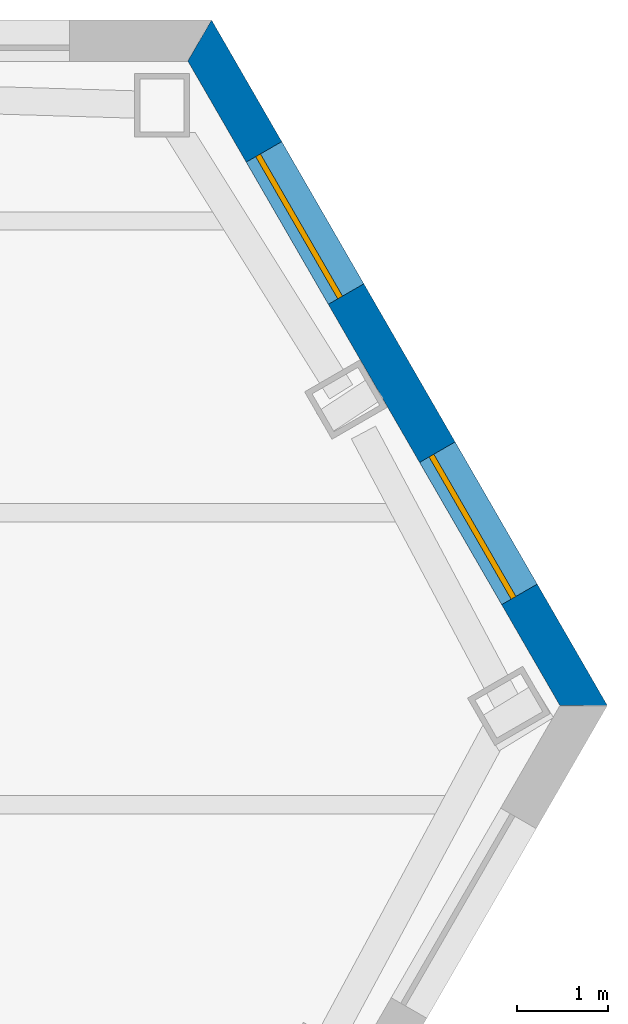
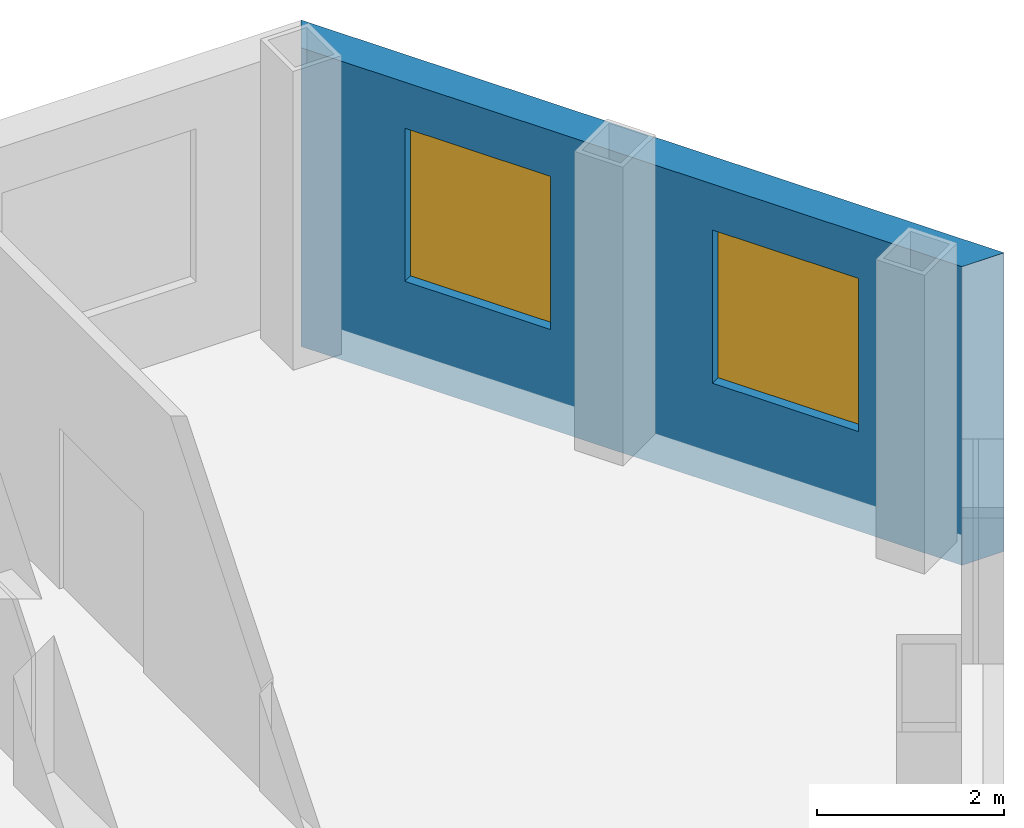
# One storey, part 8 of 11: 2 windows, 1 wall, 2 openings.
"""IFC4 building model written with IfcOpenShell, lengths in metres."""

from ifc_helpers import new_model, si_unit, direction, frame, frame_2d, origin, place, context, subcontext, project, spatial, polyline, rectangle, outline, extrude, material, layer, layer_set, type_object, element, fill, save


model = new_model("IFC4")

# Units and contexts
model_context = context("Model", 3, precision=1e-05, world=origin(), true_north=direction((0.0, 1.0)))
body_context = subcontext(model_context, "Body", "Model", "MODEL_VIEW")
ifc_project = project(units=[si_unit("LENGTHUNIT", "METRE"), si_unit("AREAUNIT", "SQUARE_METRE"), si_unit("VOLUMEUNIT", "CUBIC_METRE"), si_unit("PLANEANGLEUNIT", "RADIAN"), si_unit("MASSUNIT", "GRAM", prefix="KILO")], contexts=[model_context])

# Site, building, storey
site_placement = place(None, origin())
site = spatial("IfcSite", under=ifc_project, at=site_placement, CompositionType="ELEMENT")
building_placement = place(site_placement, origin())
building = spatial("IfcBuilding", under=site, at=building_placement, Name="Njiva Tower", CompositionType="ELEMENT")
storey_placement = place(building_placement, frame((0.0, 0.0, 151.5)))
storey = spatial("IfcBuildingStorey", under=building, at=storey_placement, Name="L32", CompositionType="ELEMENT", Elevation=151.5)

# Wall, openings, windows
ifc_material_1 = material(Name="Brick masonry, buff", Category="masonry")
ifc_layer = layer(ifc_material_1, 0.45)
ifc_layer_set = layer_set([ifc_layer], Name="Brick masonry, buff")
wall_type = type_object("IfcWallType", Name="WT94 Brick pier and spandrel wall 450, buff", PredefinedType="SOLIDWALL", material=ifc_layer_set)
wall_placement = place(storey_placement, frame((27.0789, 12.6851, -0.4), z_axis=(0.0, 0.0, 1.0), x_axis=(-0.500000365375, 0.866025192835, 0.0)))
wall = element("IfcWall", 1, at=wall_placement, inside=storey, type_object=wall_type, Name="Facade wall NE", PredefinedType="SOLIDWALL", context=body_context, shape_type="SweptSolid", body=[
    extrude(outline(polyline([(-0.1299, -0.225), (8.5501, -0.225), (8.2903, 0.225), (0.1299, 0.225), (-0.1299, -0.225)])), origin(), (0.0, 0.0, 1.0), 3.9),
])
opening_1_placement = place(wall_placement, frame((1.4094, 0.0, 1.3)))
opening_1 = element("IfcOpeningElement", 2, at=opening_1_placement, cuts=wall, Name="Opening S11-W32", PredefinedType="OPENING", context=body_context, shape_type="SweptSolid", body=[
    extrude(rectangle(XDim=1.8, YDim=2.0, at=frame_2d((0.9, 1.0))), frame((0.0, 0.235, 0.0), z_axis=(0.0, -1.0, 0.0), x_axis=(1.0, 0.0, 0.0)), (0.0, 0.0, 1.0), 0.47),
])
opening_2_placement = place(wall_placement, frame((5.2107, 0.0, 1.3)))
opening_2 = element("IfcOpeningElement", 3, at=opening_2_placement, cuts=wall, Name="Opening S11-W33", PredefinedType="OPENING", context=body_context, shape_type="SweptSolid", body=[
    extrude(rectangle(XDim=1.8, YDim=2.0, at=frame_2d((0.9, 1.0))), frame((0.0, 0.235, 0.0), z_axis=(0.0, -1.0, 0.0), x_axis=(1.0, 0.0, 0.0)), (0.0, 0.0, 1.0), 0.47),
])
ifc_material_2 = material(Name="Clear glazing in aluminium frame", Category="aluminium")
window_type = type_object("IfcWindowType", Name="W94 Deep-set window 1800x2000", PartitioningType="SINGLE_PANEL", PredefinedType="WINDOW", material=ifc_material_2)
window_1_placement = place(opening_1_placement, origin())
window_1 = element("IfcWindow", 4, at=window_1_placement, inside=storey, type_object=window_type, Name="Window", OverallHeight=2.0, OverallWidth=1.8, PartitioningType="SINGLE_PANEL", PredefinedType="WINDOW", context=body_context, shape_type="SweptSolid", body=[
    extrude(rectangle(XDim=1.8, YDim=2.0, at=frame_2d((0.9, 1.0))), frame((0.0, 0.105, 0.0), z_axis=(0.0, -1.0, 0.0), x_axis=(1.0, 0.0, 0.0)), (0.0, 0.0, 1.0), 0.06),
])
fill(opening_1, window_1)
window_2_placement = place(opening_2_placement, origin())
window_2 = element("IfcWindow", 5, at=window_2_placement, inside=storey, type_object=window_type, Name="Window", OverallHeight=2.0, OverallWidth=1.8, PartitioningType="SINGLE_PANEL", PredefinedType="WINDOW", context=body_context, shape_type="SweptSolid", body=[
    extrude(rectangle(XDim=1.8, YDim=2.0, at=frame_2d((0.9, 1.0))), frame((0.0, 0.105, 0.0), z_axis=(0.0, -1.0, 0.0), x_axis=(1.0, 0.0, 0.0)), (0.0, 0.0, 1.0), 0.06),
])
fill(opening_2, window_2)

save(model, "model.ifc")
